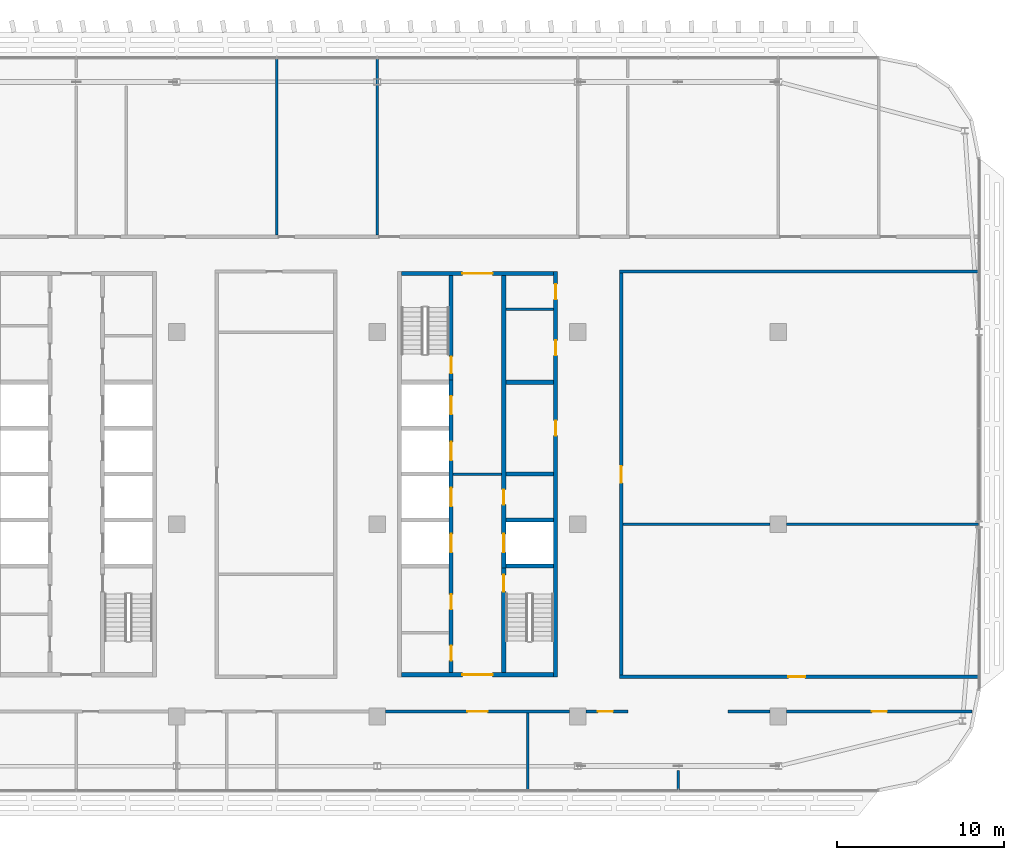
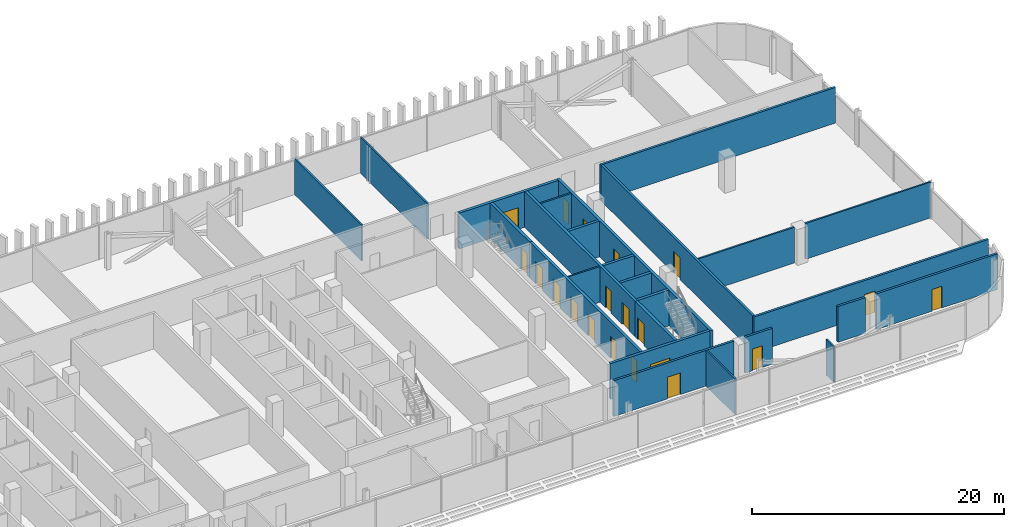
# One storey, part 21 of 32: 26 walls, 20 doors, 20 openings.
"""IFC4 building model written with IfcOpenShell, lengths in metres."""

from ifc_helpers import new_model, si_unit, direction, frame, frame_2d, origin, place, context, subcontext, project, spatial, rectangle, extrude, material, layer, layer_set, type_object, element, fill, save


model = new_model("IFC4")

# Units and contexts
model_context = context("Model", 3, precision=1e-05, world=origin(), true_north=direction((0.0, 1.0)))
body_context = subcontext(model_context, "Body", "Model", "MODEL_VIEW")
ifc_project = project(units=[si_unit("LENGTHUNIT", "METRE"), si_unit("AREAUNIT", "SQUARE_METRE"), si_unit("VOLUMEUNIT", "CUBIC_METRE"), si_unit("PLANEANGLEUNIT", "RADIAN"), si_unit("MASSUNIT", "GRAM", prefix="KILO")], contexts=[model_context])

# Site, building, storey
site_placement = place(None, origin())
site = spatial("IfcSite", under=ifc_project, at=site_placement, CompositionType="ELEMENT")
building_placement = place(site_placement, origin())
building = spatial("IfcBuilding", under=site, at=building_placement, Name="Mahtab Terrace Research Tower", CompositionType="ELEMENT")
storey_placement = place(building_placement, frame((0.0, 0.0, 240.0)))
storey = spatial("IfcBuildingStorey", under=building, at=storey_placement, Name="L58", CompositionType="ELEMENT", Elevation=240.0)

# Walls
ifc_material_1 = material(Name="Gypsum board partition")
ifc_layer_1 = layer(ifc_material_1, 0.14990234375)
ifc_layer_set_1 = layer_set([ifc_layer_1], Name="Core partition 150")
wall_type_1 = type_object("IfcWallType", Name="Core partition 150", PredefinedType="PARTITIONING", material=ifc_layer_set_1)
wall_1_placement = place(storey_placement, frame((22.550048828125, 3.0, 0.0), z_axis=(0.0, 0.0, 1.0), x_axis=(1.0, 0.0, 0.0)))
element("IfcWall", 1, at=wall_1_placement, inside=storey, type_object=wall_type_1, Name="Core wall C ffl", PredefinedType="PARTITIONING", context=body_context, shape_type="SweptSolid", body=[
    extrude(rectangle(XDim=2.89990234375, YDim=0.14990234375, at=frame_2d((1.449951171875, 0.0))), origin(), (0.0, 0.0, 1.0), 3.4599609375),
])
wall_2_placement = place(storey_placement, frame((25.699951171875, 12.875, 0.0), z_axis=(0.0, 0.0, 1.0), x_axis=(1.0, 0.0, 0.0)))
element("IfcWall", 2, at=wall_2_placement, inside=storey, type_object=wall_type_1, Name="Core wall C pEN988", PredefinedType="PARTITIONING", context=body_context, shape_type="SweptSolid", body=[
    extrude(rectangle(XDim=2.85009765625, YDim=0.14990234375, at=frame_2d((1.425048828125, 0.0))), origin(), (0.0, 0.0, 1.0), 3.4599609375),
])

# Wall, openings, doors
ifc_material_2 = material(Name="Concrete C70/85", Category="concrete")
ifc_layer_2 = layer(ifc_material_2, 0.25)
ifc_layer_set_2 = layer_set([ifc_layer_2], Name="Core wall 250")
wall_type_2 = type_object("IfcWallType", Name="Core wall 250", PredefinedType="SOLIDWALL", material=ifc_layer_set_2)
wall_3_placement = place(storey_placement, frame((28.675048828125, -9.125, 0.0), z_axis=(0.0, 0.0, 1.0), x_axis=(0.0, 1.0, 0.0)))
wall_3 = element("IfcWall", 3, at=wall_3_placement, inside=storey, type_object=wall_type_2, Name="Core wall C outerE", PredefinedType="SOLIDWALL", context=body_context, shape_type="SweptSolid", body=[
    extrude(rectangle(XDim=24.25, YDim=0.25, at=frame_2d((12.125, 0.0))), origin(), (0.0, 0.0, 1.0), 3.4599609375),
])
opening_1_placement = place(wall_3_placement, frame((14.425048828125, 0.0, 0.0)))
opening_1 = element("IfcOpeningElement", 4, at=opening_1_placement, cuts=wall_3, Name="Opening C-R2", PredefinedType="OPENING", context=body_context, shape_type="SweptSolid", body=[
    extrude(rectangle(XDim=0.89990234375, YDim=2.10009765625, at=frame_2d((0.449951171875, 1.050048828125))), frame((0.0, 0.135009765625, 0.0), z_axis=(0.0, -1.0, 0.0), x_axis=(1.0, 0.0, 0.0)), (0.0, 0.0, 1.0), 0.27001953125),
])
opening_2_placement = place(wall_3_placement, frame((19.22509765625, 0.0, 0.0)))
opening_2 = element("IfcOpeningElement", 5, at=opening_2_placement, cuts=wall_3, Name="Opening C-R5", PredefinedType="OPENING", context=body_context, shape_type="SweptSolid", body=[
    extrude(rectangle(XDim=0.89990234375, YDim=2.10009765625, at=frame_2d((0.449951171875, 1.050048828125))), frame((0.0, 0.135009765625, 0.0), z_axis=(0.0, -1.0, 0.0), x_axis=(1.0, 0.0, 0.0)), (0.0, 0.0, 1.0), 0.27001953125),
])
opening_3_placement = place(wall_3_placement, frame((22.58740234375, 0.0, 0.0)))
opening_3 = element("IfcOpeningElement", 6, at=opening_3_placement, cuts=wall_3, Name="Opening C-R6", PredefinedType="OPENING", context=body_context, shape_type="SweptSolid", body=[
    extrude(rectangle(XDim=0.89990234375, YDim=2.10009765625, at=frame_2d((0.449951171875, 1.050048828125))), frame((0.0, 0.135009765625, 0.0), z_axis=(0.0, -1.0, 0.0), x_axis=(1.0, 0.0, 0.0)), (0.0, 0.0, 1.0), 0.27001953125),
])
ifc_material_3 = material(Name="Steel fire door", Category="steel")
door_type_1 = type_object("IfcDoorType", Name="Room door 900x2100 1 HR", OperationType="NOTDEFINED", PredefinedType="DOOR", material=ifc_material_3)
door_1_placement = place(opening_1_placement, origin())
door_1 = element("IfcDoor", 7, at=door_1_placement, inside=storey, type_object=door_type_1, Name="Plant room door", OperationType="SINGLE_SWING_RIGHT", OverallHeight=2.10009765625, OverallWidth=0.89990234375, PredefinedType="DOOR", context=body_context, shape_type="SweptSolid", body=[
    extrude(rectangle(XDim=0.89990234375, YDim=2.10009765625, at=frame_2d((0.449951171875, 1.050048828125))), frame((0.0, 0.02490234375, 0.0), z_axis=(0.0, -1.0, 0.0), x_axis=(1.0, 0.0, 0.0)), (0.0, 0.0, 1.0), 0.050048828125),
])
fill(opening_1, door_1)
door_2_placement = place(opening_2_placement, origin())
door_2 = element("IfcDoor", 8, at=door_2_placement, inside=storey, type_object=door_type_1, Name="IT equipment room door", OperationType="SINGLE_SWING_LEFT", OverallHeight=2.10009765625, OverallWidth=0.89990234375, PredefinedType="DOOR", context=body_context, shape_type="SweptSolid", body=[
    extrude(rectangle(XDim=0.89990234375, YDim=2.10009765625, at=frame_2d((0.449951171875, 1.050048828125))), frame((0.0, 0.02490234375, 0.0), z_axis=(0.0, -1.0, 0.0), x_axis=(1.0, 0.0, 0.0)), (0.0, 0.0, 1.0), 0.050048828125),
])
fill(opening_2, door_2)
door_3_placement = place(opening_3_placement, origin())
door_3 = element("IfcDoor", 9, at=door_3_placement, inside=storey, type_object=door_type_1, Name="Electrical riser room door", OperationType="SINGLE_SWING_RIGHT", OverallHeight=2.10009765625, OverallWidth=0.89990234375, PredefinedType="DOOR", context=body_context, shape_type="SweptSolid", body=[
    extrude(rectangle(XDim=0.89990234375, YDim=2.10009765625, at=frame_2d((0.449951171875, 1.050048828125))), frame((0.0, 0.02490234375, 0.0), z_axis=(0.0, -1.0, 0.0), x_axis=(1.0, 0.0, 0.0)), (0.0, 0.0, 1.0), 0.050048828125),
])
fill(opening_3, door_3)

# Wall, opening, door
wall_4_placement = place(storey_placement, frame((28.550048828125, -9.0, 0.0), z_axis=(0.0, 0.0, 1.0), x_axis=(-1.0, 0.0, 0.0)))
wall_4 = element("IfcWall", 10, at=wall_4_placement, inside=storey, type_object=wall_type_2, Name="Core wall C endS", PredefinedType="SOLIDWALL", context=body_context, shape_type="SweptSolid", body=[
    extrude(rectangle(XDim=9.10009765625, YDim=0.25, at=frame_2d((4.550048828125, 0.0))), origin(), (0.0, 0.0, 1.0), 3.4599609375),
])
opening_4_placement = place(wall_4_placement, frame((3.64990234375, 0.0, 0.0)))
opening_4 = element("IfcOpeningElement", 11, at=opening_4_placement, cuts=wall_4, Name="Opening C-S1", PredefinedType="OPENING", context=body_context, shape_type="SweptSolid", body=[
    extrude(rectangle(XDim=1.800048828125, YDim=2.10009765625, at=frame_2d((0.89990234375, 1.050048828125))), frame((0.0, 0.135009765625, 0.0), z_axis=(0.0, -1.0, 0.0), x_axis=(1.0, 0.0, 0.0)), (0.0, 0.0, 1.0), 0.27001953125),
])
door_type_2 = type_object("IfcDoorType", Name="Lobby double door 1800x2100 1 HR", OperationType="DOUBLE_DOOR_SINGLE_SWING", PredefinedType="DOOR", material=ifc_material_3)
door_4_placement = place(opening_4_placement, origin())
door_4 = element("IfcDoor", 12, at=door_4_placement, inside=storey, type_object=door_type_2, Name="Core entrance door C S", OperationType="DOUBLE_DOOR_SINGLE_SWING", OverallHeight=2.10009765625, OverallWidth=1.800048828125, PredefinedType="DOOR", context=body_context, shape_type="SweptSolid", body=[
    extrude(rectangle(XDim=1.800048828125, YDim=2.10009765625, at=frame_2d((0.89990234375, 1.050048828125))), frame((0.0, 0.02490234375, 0.0), z_axis=(0.0, -1.0, 0.0), x_axis=(1.0, 0.0, 0.0)), (0.0, 0.0, 1.0), 0.050048828125),
])
fill(opening_4, door_4)

wall_5_placement = place(storey_placement, frame((19.449951171875, 15.0, 0.0), z_axis=(0.0, 0.0, 1.0), x_axis=(1.0, 0.0, 0.0)))
wall_5 = element("IfcWall", 13, at=wall_5_placement, inside=storey, type_object=wall_type_2, Name="Core wall C endN", PredefinedType="SOLIDWALL", context=body_context, shape_type="SweptSolid", body=[
    extrude(rectangle(XDim=9.10009765625, YDim=0.25, at=frame_2d((4.550048828125, 0.0))), origin(), (0.0, 0.0, 1.0), 3.4599609375),
])
opening_5_placement = place(wall_5_placement, frame((3.64990234375, 0.0, 0.0)))
opening_5 = element("IfcOpeningElement", 14, at=opening_5_placement, cuts=wall_5, Name="Opening C-N1", PredefinedType="OPENING", context=body_context, shape_type="SweptSolid", body=[
    extrude(rectangle(XDim=1.800048828125, YDim=2.10009765625, at=frame_2d((0.89990234375, 1.050048828125))), frame((0.0, 0.135009765625, 0.0), z_axis=(0.0, -1.0, 0.0), x_axis=(1.0, 0.0, 0.0)), (0.0, 0.0, 1.0), 0.27001953125),
])
door_5_placement = place(opening_5_placement, origin())
door_5 = element("IfcDoor", 15, at=door_5_placement, inside=storey, type_object=door_type_2, Name="Core entrance door C N", OperationType="DOUBLE_DOOR_SINGLE_SWING", OverallHeight=2.10009765625, OverallWidth=1.800048828125, PredefinedType="DOOR", context=body_context, shape_type="SweptSolid", body=[
    extrude(rectangle(XDim=1.800048828125, YDim=2.10009765625, at=frame_2d((0.89990234375, 1.050048828125))), frame((0.0, 0.02490234375, 0.0), z_axis=(0.0, -1.0, 0.0), x_axis=(1.0, 0.0, 0.0)), (0.0, 0.0, 1.0), 0.050048828125),
])
fill(opening_5, door_5)

# Wall, openings, doors
wall_6_placement = place(storey_placement, frame((22.425048828125, -8.875, 0.0), z_axis=(0.0, 0.0, 1.0), x_axis=(0.0, 1.0, 0.0)))
wall_6 = element("IfcWall", 16, at=wall_6_placement, inside=storey, type_object=wall_type_2, Name="Core wall C innerWSL", PredefinedType="SOLIDWALL", context=body_context, shape_type="SweptSolid", body=[
    extrude(rectangle(XDim=17.5, YDim=0.25, at=frame_2d((8.75, 0.0))), origin(), (0.0, 0.0, 1.0), 3.4599609375),
])
opening_6_placement = place(wall_6_placement, frame((7.199951171875, 0.0, 0.0)))
opening_6 = element("IfcOpeningElement", 17, at=opening_6_placement, cuts=wall_6, Name="Opening LD17-L58", PredefinedType="OPENING", context=body_context, shape_type="SweptSolid", body=[
    extrude(rectangle(XDim=1.10009765625, YDim=2.10009765625, at=frame_2d((0.550048828125, 1.050048828125))), frame((0.0, 0.135009765625, 0.0), z_axis=(0.0, -1.0, 0.0), x_axis=(1.0, 0.0, 0.0)), (0.0, 0.0, 1.0), 0.27001953125),
])
opening_7_placement = place(wall_6_placement, frame((9.949951171875, 0.0, 0.0)))
opening_7 = element("IfcOpeningElement", 18, at=opening_7_placement, cuts=wall_6, Name="Opening LD18-L58", PredefinedType="OPENING", context=body_context, shape_type="SweptSolid", body=[
    extrude(rectangle(XDim=1.10009765625, YDim=2.10009765625, at=frame_2d((0.550048828125, 1.050048828125))), frame((0.0, 0.135009765625, 0.0), z_axis=(0.0, -1.0, 0.0), x_axis=(1.0, 0.0, 0.0)), (0.0, 0.0, 1.0), 0.27001953125),
])
opening_8_placement = place(wall_6_placement, frame((12.699951171875, 0.0, 0.0)))
opening_8 = element("IfcOpeningElement", 19, at=opening_8_placement, cuts=wall_6, Name="Opening LD19-L58", PredefinedType="OPENING", context=body_context, shape_type="SweptSolid", body=[
    extrude(rectangle(XDim=1.10009765625, YDim=2.10009765625, at=frame_2d((0.550048828125, 1.050048828125))), frame((0.0, 0.135009765625, 0.0), z_axis=(0.0, -1.0, 0.0), x_axis=(1.0, 0.0, 0.0)), (0.0, 0.0, 1.0), 0.27001953125),
])
opening_9_placement = place(wall_6_placement, frame((15.449951171875, 0.0, 0.0)))
opening_9 = element("IfcOpeningElement", 20, at=opening_9_placement, cuts=wall_6, Name="Opening LD20-L58", PredefinedType="OPENING", context=body_context, shape_type="SweptSolid", body=[
    extrude(rectangle(XDim=1.10009765625, YDim=2.10009765625, at=frame_2d((0.550048828125, 1.050048828125))), frame((0.0, 0.135009765625, 0.0), z_axis=(0.0, -1.0, 0.0), x_axis=(1.0, 0.0, 0.0)), (0.0, 0.0, 1.0), 0.27001953125),
])
opening_10_placement = place(wall_6_placement, frame((0.71240234375, 0.0, 0.0)))
opening_10 = element("IfcOpeningElement", 21, at=opening_10_placement, cuts=wall_6, Name="Opening C-R3", PredefinedType="OPENING", context=body_context, shape_type="SweptSolid", body=[
    extrude(rectangle(XDim=0.89990234375, YDim=2.10009765625, at=frame_2d((0.449951171875, 1.050048828125))), frame((0.0, 0.135009765625, 0.0), z_axis=(0.0, -1.0, 0.0), x_axis=(1.0, 0.0, 0.0)), (0.0, 0.0, 1.0), 0.27001953125),
])
opening_11_placement = place(wall_6_placement, frame((3.78759765625, 0.0, 0.0)))
opening_11 = element("IfcOpeningElement", 22, at=opening_11_placement, cuts=wall_6, Name="Opening C-R4", PredefinedType="OPENING", context=body_context, shape_type="SweptSolid", body=[
    extrude(rectangle(XDim=0.89990234375, YDim=2.10009765625, at=frame_2d((0.449951171875, 1.050048828125))), frame((0.0, 0.135009765625, 0.0), z_axis=(0.0, -1.0, 0.0), x_axis=(1.0, 0.0, 0.0)), (0.0, 0.0, 1.0), 0.27001953125),
])
ifc_material_4 = material(Name="Stainless steel AISI 304", Category="steel")
door_type_3 = type_object("IfcDoorType", Name="Landing door 1100x2100", OperationType="DOUBLE_DOOR_SLIDING", PredefinedType="DOOR", material=ifc_material_4)
door_6_placement = place(opening_6_placement, origin())
door_6 = element("IfcDoor", 23, at=door_6_placement, inside=storey, type_object=door_type_3, Name="Landing door SV1 L58", OperationType="DOUBLE_DOOR_SLIDING", OverallHeight=2.10009765625, OverallWidth=1.10009765625, PredefinedType="DOOR", context=body_context, shape_type="SweptSolid", body=[
    extrude(rectangle(XDim=1.10009765625, YDim=2.10009765625, at=frame_2d((0.550048828125, 1.050048828125))), frame((0.0, 0.02490234375, 0.0), z_axis=(0.0, -1.0, 0.0), x_axis=(1.0, 0.0, 0.0)), (0.0, 0.0, 1.0), 0.050048828125),
])
fill(opening_6, door_6)
door_7_placement = place(opening_7_placement, origin())
door_7 = element("IfcDoor", 24, at=door_7_placement, inside=storey, type_object=door_type_3, Name="Landing door SV2 L58", OperationType="DOUBLE_DOOR_SLIDING", OverallHeight=2.10009765625, OverallWidth=1.10009765625, PredefinedType="DOOR", context=body_context, shape_type="SweptSolid", body=[
    extrude(rectangle(XDim=1.10009765625, YDim=2.10009765625, at=frame_2d((0.550048828125, 1.050048828125))), frame((0.0, 0.02490234375, 0.0), z_axis=(0.0, -1.0, 0.0), x_axis=(1.0, 0.0, 0.0)), (0.0, 0.0, 1.0), 0.050048828125),
])
fill(opening_7, door_7)
door_8_placement = place(opening_8_placement, origin())
door_8 = element("IfcDoor", 25, at=door_8_placement, inside=storey, type_object=door_type_3, Name="Landing door FF1 L58", OperationType="DOUBLE_DOOR_SLIDING", OverallHeight=2.10009765625, OverallWidth=1.10009765625, PredefinedType="DOOR", context=body_context, shape_type="SweptSolid", body=[
    extrude(rectangle(XDim=1.10009765625, YDim=2.10009765625, at=frame_2d((0.550048828125, 1.050048828125))), frame((0.0, 0.02490234375, 0.0), z_axis=(0.0, -1.0, 0.0), x_axis=(1.0, 0.0, 0.0)), (0.0, 0.0, 1.0), 0.050048828125),
])
fill(opening_8, door_8)
door_9_placement = place(opening_9_placement, origin())
door_9 = element("IfcDoor", 26, at=door_9_placement, inside=storey, type_object=door_type_3, Name="Landing door FF2 L58", OperationType="DOUBLE_DOOR_SLIDING", OverallHeight=2.10009765625, OverallWidth=1.10009765625, PredefinedType="DOOR", context=body_context, shape_type="SweptSolid", body=[
    extrude(rectangle(XDim=1.10009765625, YDim=2.10009765625, at=frame_2d((0.550048828125, 1.050048828125))), frame((0.0, 0.02490234375, 0.0), z_axis=(0.0, -1.0, 0.0), x_axis=(1.0, 0.0, 0.0)), (0.0, 0.0, 1.0), 0.050048828125),
])
fill(opening_9, door_9)
door_10_placement = place(opening_10_placement, origin())
door_10 = element("IfcDoor", 27, at=door_10_placement, inside=storey, type_object=door_type_1, Name="Accessible WC door", OperationType="SINGLE_SWING_LEFT", OverallHeight=2.10009765625, OverallWidth=0.89990234375, PredefinedType="DOOR", context=body_context, shape_type="SweptSolid", body=[
    extrude(rectangle(XDim=0.89990234375, YDim=2.10009765625, at=frame_2d((0.449951171875, 1.050048828125))), frame((0.0, 0.02490234375, 0.0), z_axis=(0.0, -1.0, 0.0), x_axis=(1.0, 0.0, 0.0)), (0.0, 0.0, 1.0), 0.050048828125),
])
fill(opening_10, door_10)
door_11_placement = place(opening_11_placement, origin())
door_11 = element("IfcDoor", 28, at=door_11_placement, inside=storey, type_object=door_type_1, Name="WC block door", OperationType="SINGLE_SWING_RIGHT", OverallHeight=2.10009765625, OverallWidth=0.89990234375, PredefinedType="DOOR", context=body_context, shape_type="SweptSolid", body=[
    extrude(rectangle(XDim=0.89990234375, YDim=2.10009765625, at=frame_2d((0.449951171875, 1.050048828125))), frame((0.0, 0.02490234375, 0.0), z_axis=(0.0, -1.0, 0.0), x_axis=(1.0, 0.0, 0.0)), (0.0, 0.0, 1.0), 0.050048828125),
])
fill(opening_11, door_11)

# Wall, opening, door
wall_7_placement = place(storey_placement, frame((22.425048828125, 14.875, 0.0), z_axis=(0.0, 0.0, 1.0), x_axis=(0.0, -1.0, 0.0)))
wall_7 = element("IfcWall", 29, at=wall_7_placement, inside=storey, type_object=wall_type_2, Name="Core wall C innerWN", PredefinedType="SOLIDWALL", context=body_context, shape_type="SweptSolid", body=[
    extrude(rectangle(XDim=6.25, YDim=0.25, at=frame_2d((3.125, 0.0))), origin(), (0.0, 0.0, 1.0), 3.4599609375),
])
opening_12_placement = place(wall_7_placement, frame((4.85009765625, 0.0, 0.0)))
opening_12 = element("IfcOpeningElement", 30, at=opening_12_placement, cuts=wall_7, Name="Opening C-ST3", PredefinedType="OPENING", context=body_context, shape_type="SweptSolid", body=[
    extrude(rectangle(XDim=1.0, YDim=2.10009765625, at=frame_2d((0.5, 1.050048828125))), frame((0.0, 0.135009765625, 0.0), z_axis=(0.0, -1.0, 0.0), x_axis=(1.0, 0.0, 0.0)), (0.0, 0.0, 1.0), 0.27001953125),
])
door_type_4 = type_object("IfcDoorType", Name="Stair door 1000x2100 1.5 HR", OperationType="NOTDEFINED", PredefinedType="DOOR", material=ifc_material_3)
door_12_placement = place(opening_12_placement, origin())
door_12 = element("IfcDoor", 31, at=door_12_placement, inside=storey, type_object=door_type_4, Name="Stair door ST3 L58", OperationType="SINGLE_SWING_LEFT", OverallHeight=2.10009765625, OverallWidth=1.0, PredefinedType="DOOR", context=body_context, shape_type="SweptSolid", body=[
    extrude(rectangle(XDim=1.0, YDim=2.10009765625, at=frame_2d((0.5, 1.050048828125))), frame((0.0, 0.02490234375, 0.0), z_axis=(0.0, -1.0, 0.0), x_axis=(1.0, 0.0, 0.0)), (0.0, 0.0, 1.0), 0.050048828125),
])
fill(opening_12, door_12)

wall_8_placement = place(storey_placement, frame((25.574951171875, -8.875, 0.0), z_axis=(0.0, 0.0, 1.0), x_axis=(0.0, 1.0, 0.0)))
wall_8 = element("IfcWall", 32, at=wall_8_placement, inside=storey, type_object=wall_type_2, Name="Core wall C innerES", PredefinedType="SOLIDWALL", context=body_context, shape_type="SweptSolid", body=[
    extrude(rectangle(XDim=6.25, YDim=0.25, at=frame_2d((3.125, 0.0))), origin(), (0.0, 0.0, 1.0), 3.4599609375),
])
opening_13_placement = place(wall_8_placement, frame((4.85009765625, 0.0, 0.0)))
opening_13 = element("IfcOpeningElement", 33, at=opening_13_placement, cuts=wall_8, Name="Opening C-ST4", PredefinedType="OPENING", context=body_context, shape_type="SweptSolid", body=[
    extrude(rectangle(XDim=1.0, YDim=2.10009765625, at=frame_2d((0.5, 1.050048828125))), frame((0.0, 0.135009765625, 0.0), z_axis=(0.0, -1.0, 0.0), x_axis=(1.0, 0.0, 0.0)), (0.0, 0.0, 1.0), 0.27001953125),
])
door_13_placement = place(opening_13_placement, origin())
door_13 = element("IfcDoor", 34, at=door_13_placement, inside=storey, type_object=door_type_4, Name="Stair door ST4 L58", OperationType="SINGLE_SWING_RIGHT", OverallHeight=2.10009765625, OverallWidth=1.0, PredefinedType="DOOR", context=body_context, shape_type="SweptSolid", body=[
    extrude(rectangle(XDim=1.0, YDim=2.10009765625, at=frame_2d((0.5, 1.050048828125))), frame((0.0, 0.02490234375, 0.0), z_axis=(0.0, -1.0, 0.0), x_axis=(1.0, 0.0, 0.0)), (0.0, 0.0, 1.0), 0.050048828125),
])
fill(opening_13, door_13)

# Wall, openings, doors
wall_9_placement = place(storey_placement, frame((25.574951171875, 14.875, 0.0), z_axis=(0.0, 0.0, 1.0), x_axis=(0.0, -1.0, 0.0)))
wall_9 = element("IfcWall", 35, at=wall_9_placement, inside=storey, type_object=wall_type_2, Name="Core wall C innerELN", PredefinedType="SOLIDWALL", context=body_context, shape_type="SweptSolid", body=[
    extrude(rectangle(XDim=17.5, YDim=0.25, at=frame_2d((8.75, 0.0))), origin(), (0.0, 0.0, 1.0), 3.4599609375),
])
opening_14_placement = place(wall_9_placement, frame((15.449951171875, 0.0, 0.0)))
opening_14 = element("IfcOpeningElement", 36, at=opening_14_placement, cuts=wall_9, Name="Opening LD21-L58", PredefinedType="OPENING", context=body_context, shape_type="SweptSolid", body=[
    extrude(rectangle(XDim=1.10009765625, YDim=2.10009765625, at=frame_2d((0.550048828125, 1.050048828125))), frame((0.0, 0.135009765625, 0.0), z_axis=(0.0, -1.0, 0.0), x_axis=(1.0, 0.0, 0.0)), (0.0, 0.0, 1.0), 0.27001953125),
])
opening_15_placement = place(wall_9_placement, frame((12.800048828125, 0.0, 0.0)))
opening_15 = element("IfcOpeningElement", 37, at=opening_15_placement, cuts=wall_9, Name="Opening C-R1", PredefinedType="OPENING", context=body_context, shape_type="SweptSolid", body=[
    extrude(rectangle(XDim=0.89990234375, YDim=2.10009765625, at=frame_2d((0.449951171875, 1.050048828125))), frame((0.0, 0.135009765625, 0.0), z_axis=(0.0, -1.0, 0.0), x_axis=(1.0, 0.0, 0.0)), (0.0, 0.0, 1.0), 0.27001953125),
])
door_14_placement = place(opening_14_placement, origin())
door_14 = element("IfcDoor", 38, at=door_14_placement, inside=storey, type_object=door_type_3, Name="Landing door SV3 L58", OperationType="DOUBLE_DOOR_SLIDING", OverallHeight=2.10009765625, OverallWidth=1.10009765625, PredefinedType="DOOR", context=body_context, shape_type="SweptSolid", body=[
    extrude(rectangle(XDim=1.10009765625, YDim=2.10009765625, at=frame_2d((0.550048828125, 1.050048828125))), frame((0.0, 0.02490234375, 0.0), z_axis=(0.0, -1.0, 0.0), x_axis=(1.0, 0.0, 0.0)), (0.0, 0.0, 1.0), 0.050048828125),
])
fill(opening_14, door_14)
door_15_placement = place(opening_15_placement, origin())
door_15 = element("IfcDoor", 39, at=door_15_placement, inside=storey, type_object=door_type_1, Name="Plant room door", OperationType="SINGLE_SWING_LEFT", OverallHeight=2.10009765625, OverallWidth=0.89990234375, PredefinedType="DOOR", context=body_context, shape_type="SweptSolid", body=[
    extrude(rectangle(XDim=0.89990234375, YDim=2.10009765625, at=frame_2d((0.449951171875, 1.050048828125))), frame((0.0, 0.02490234375, 0.0), z_axis=(0.0, -1.0, 0.0), x_axis=(1.0, 0.0, 0.0)), (0.0, 0.0, 1.0), 0.050048828125),
])
fill(opening_15, door_15)

# Walls
for number, where, z_axis, x_axis, name in (
    (40, (25.699951171875, -2.5, 0.0), (0.0, 0.0, 1.0), (1.0, 0.0, 0.0), "Core wall C divE0"),
    (41, (25.699951171875, 0.25, 0.0), (0.0, 0.0, 1.0), (1.0, 0.0, 0.0), "Core wall C divE1"),
    (42, (25.699951171875, 3.0, 0.0), (0.0, 0.0, 1.0), (1.0, 0.0, 0.0), "Core wall C divE2"),
    (43, (25.699951171875, 8.5, 0.0), (0.0, 0.0, 1.0), (1.0, 0.0, 0.0), "Core wall C divE4"),
):
    element("IfcWall", number, at=place(storey_placement, frame(where, z_axis=z_axis, x_axis=x_axis)), inside=storey, type_object=wall_type_2, Name=name, PredefinedType="SOLIDWALL", context=body_context, shape_type="SweptSolid", body=[
        extrude(rectangle(XDim=2.85009765625, YDim=0.25, at=frame_2d((1.425048828125, 0.0))), origin(), (0.0, 0.0, 1.0), 3.4599609375),
    ])

# Wall, opening, door
ifc_material_5 = material(Name="Gypsum board corridor wall on steel studs", Category="steel")
ifc_layer_3 = layer(ifc_material_5, 0.199951171875)
ifc_layer_set_3 = layer_set([ifc_layer_3], Name="WALL CORRIDOR 200")
wall_type_3 = type_object("IfcWallType", Name="WALL CORRIDOR 200", PredefinedType="PARTITIONING", material=ifc_layer_set_3)
wall_10_placement = place(storey_placement, frame((18.5, -11.199951171875, 0.0), z_axis=(0.0, 0.0, 1.0), x_axis=(1.0, 0.0, 0.0)))
wall_10 = element("IfcWall", 44, at=wall_10_placement, inside=storey, type_object=wall_type_3, Name="L58-W006", PredefinedType="PARTITIONING", context=body_context, shape_type="SweptSolid", body=[
    extrude(rectangle(XDim=11.0, YDim=0.199951171875, at=frame_2d((5.5, 0.0))), origin(), (0.0, 0.0, 1.0), 3.4599609375),
])
opening_16_placement = place(wall_10_placement, frame((4.89990234375, 0.0, 0.0)))
opening_16 = element("IfcOpeningElement", 45, at=opening_16_placement, cuts=wall_10, Name="Opening L58-109", PredefinedType="OPENING", context=body_context, shape_type="SweptSolid", body=[
    extrude(rectangle(XDim=1.199951171875, YDim=2.10009765625, at=frame_2d((0.60009765625, 1.050048828125))), frame((0.0, 0.10986328125, 0.0), z_axis=(0.0, -1.0, 0.0), x_axis=(1.0, 0.0, 0.0)), (0.0, 0.0, 1.0), 0.219970703125),
])
ifc_material_6 = material(Name="Timber door leaf in steel frame", Category="steel")
door_type_5 = type_object("IfcDoorType", Name="DOOR 1200X2100 FD30S", OperationType="SINGLE_SWING_LEFT", PredefinedType="DOOR", material=ifc_material_6)
door_16_placement = place(opening_16_placement, origin())
door_16 = element("IfcDoor", 46, at=door_16_placement, inside=storey, type_object=door_type_5, Name="Door L58-109", OperationType="SINGLE_SWING_LEFT", OverallHeight=2.10009765625, OverallWidth=1.199951171875, PredefinedType="DOOR", context=body_context, shape_type="SweptSolid", body=[
    extrude(rectangle(XDim=1.199951171875, YDim=2.10009765625, at=frame_2d((0.60009765625, 1.050048828125))), frame((0.0, 0.02490234375, 0.0), z_axis=(0.0, -1.0, 0.0), x_axis=(1.0, 0.0, 0.0)), (0.0, 0.0, 1.0), 0.050048828125),
])
fill(opening_16, door_16)

wall_11_placement = place(storey_placement, frame((30.5, -11.199951171875, 0.0), z_axis=(0.0, 0.0, 1.0), x_axis=(1.0, 0.0, 0.0)))
wall_11 = element("IfcWall", 47, at=wall_11_placement, inside=storey, type_object=wall_type_3, Name="L58-W007", PredefinedType="PARTITIONING", context=body_context, shape_type="SweptSolid", body=[
    extrude(rectangle(XDim=2.5, YDim=0.199951171875, at=frame_2d((1.25, 0.0))), origin(), (0.0, 0.0, 1.0), 3.4599609375),
])
opening_17_placement = place(wall_11_placement, frame((0.699951171875, 0.0, 0.0)))
opening_17 = element("IfcOpeningElement", 48, at=opening_17_placement, cuts=wall_11, Name="Opening L58-110", PredefinedType="OPENING", context=body_context, shape_type="SweptSolid", body=[
    extrude(rectangle(XDim=0.89990234375, YDim=2.10009765625, at=frame_2d((0.449951171875, 1.050048828125))), frame((0.0, 0.10986328125, 0.0), z_axis=(0.0, -1.0, 0.0), x_axis=(1.0, 0.0, 0.0)), (0.0, 0.0, 1.0), 0.219970703125),
])
door_type_6 = type_object("IfcDoorType", Name="DOOR 0900X2100 FD30S", OperationType="SINGLE_SWING_LEFT", PredefinedType="DOOR", material=ifc_material_6)
door_17_placement = place(opening_17_placement, origin())
door_17 = element("IfcDoor", 49, at=door_17_placement, inside=storey, type_object=door_type_6, Name="Door L58-110", OperationType="SINGLE_SWING_RIGHT", OverallHeight=2.10009765625, OverallWidth=0.89990234375, PredefinedType="DOOR", context=body_context, shape_type="SweptSolid", body=[
    extrude(rectangle(XDim=0.89990234375, YDim=2.10009765625, at=frame_2d((0.449951171875, 1.050048828125))), frame((0.0, 0.02490234375, 0.0), z_axis=(0.0, -1.0, 0.0), x_axis=(1.0, 0.0, 0.0)), (0.0, 0.0, 1.0), 0.050048828125),
])
fill(opening_17, door_17)

# Wall
wall_12_placement = place(storey_placement, frame((39.0, -11.199951171875, 0.0), z_axis=(0.0, 0.0, 1.0), x_axis=(1.0, 0.0, 0.0)))
element("IfcWall", 50, at=wall_12_placement, inside=storey, type_object=wall_type_3, Name="L58-W008", PredefinedType="PARTITIONING", context=body_context, shape_type="SweptSolid", body=[
    extrude(rectangle(XDim=2.5, YDim=0.199951171875, at=frame_2d((1.25, 0.0))), origin(), (0.0, 0.0, 1.0), 3.4599609375),
])

# Wall, opening, door
wall_13_placement = place(storey_placement, frame((42.5, -11.199951171875, 0.0), z_axis=(0.0, 0.0, 1.0), x_axis=(1.0, 0.0, 0.0)))
wall_13 = element("IfcWall", 51, at=wall_13_placement, inside=storey, type_object=wall_type_3, Name="L58-W009", PredefinedType="PARTITIONING", context=body_context, shape_type="SweptSolid", body=[
    extrude(rectangle(XDim=11.091796875, YDim=0.199951171875, at=frame_2d((5.5458984375, 0.0))), origin(), (0.0, 0.0, 1.0), 3.4599609375),
])
opening_18_placement = place(wall_13_placement, frame((5.10009765625, 0.0, 0.0)))
opening_18 = element("IfcOpeningElement", 52, at=opening_18_placement, cuts=wall_13, Name="Opening L58-111", PredefinedType="OPENING", context=body_context, shape_type="SweptSolid", body=[
    extrude(rectangle(XDim=0.89990234375, YDim=2.10009765625, at=frame_2d((0.449951171875, 1.050048828125))), frame((0.0, 0.10986328125, 0.0), z_axis=(0.0, -1.0, 0.0), x_axis=(1.0, 0.0, 0.0)), (0.0, 0.0, 1.0), 0.219970703125),
])
door_18_placement = place(opening_18_placement, origin())
door_18 = element("IfcDoor", 53, at=door_18_placement, inside=storey, type_object=door_type_6, Name="Door L58-111", OperationType="SINGLE_SWING_LEFT", OverallHeight=2.10009765625, OverallWidth=0.89990234375, PredefinedType="DOOR", context=body_context, shape_type="SweptSolid", body=[
    extrude(rectangle(XDim=0.89990234375, YDim=2.10009765625, at=frame_2d((0.449951171875, 1.050048828125))), frame((0.0, 0.02490234375, 0.0), z_axis=(0.0, -1.0, 0.0), x_axis=(1.0, 0.0, 0.0)), (0.0, 0.0, 1.0), 0.050048828125),
])
fill(opening_18, door_18)

wall_14_placement = place(storey_placement, frame((32.5, -9.125, 0.0), z_axis=(0.0, 0.0, 1.0), x_axis=(1.0, 0.0, 0.0)))
wall_14 = element("IfcWall", 54, at=wall_14_placement, inside=storey, type_object=wall_type_3, Name="L58-W013", PredefinedType="PARTITIONING", context=body_context, shape_type="SweptSolid", body=[
    extrude(rectangle(XDim=21.47509765625, YDim=0.199951171875, at=frame_2d((10.737548828125, 0.0))), origin(), (0.0, 0.0, 1.0), 3.4599609375),
])
opening_19_placement = place(wall_14_placement, frame((10.10009765625, 0.0, 0.0)))
opening_19 = element("IfcOpeningElement", 55, at=opening_19_placement, cuts=wall_14, Name="Opening L58-115", PredefinedType="OPENING", context=body_context, shape_type="SweptSolid", body=[
    extrude(rectangle(XDim=1.0, YDim=2.10009765625, at=frame_2d((0.5, 1.050048828125))), frame((0.0, 0.10986328125, 0.0), z_axis=(0.0, -1.0, 0.0), x_axis=(1.0, 0.0, 0.0)), (0.0, 0.0, 1.0), 0.219970703125),
])
door_type_7 = type_object("IfcDoorType", Name="DOOR 1000X2100 FD30S", OperationType="SINGLE_SWING_LEFT", PredefinedType="DOOR", material=ifc_material_6)
door_19_placement = place(opening_19_placement, origin())
door_19 = element("IfcDoor", 56, at=door_19_placement, inside=storey, type_object=door_type_7, Name="Door L58-115", OperationType="SINGLE_SWING_LEFT", OverallHeight=2.10009765625, OverallWidth=1.0, PredefinedType="DOOR", context=body_context, shape_type="SweptSolid", body=[
    extrude(rectangle(XDim=1.0, YDim=2.10009765625, at=frame_2d((0.5, 1.050048828125))), frame((0.0, 0.02490234375, 0.0), z_axis=(0.0, -1.0, 0.0), x_axis=(1.0, 0.0, 0.0)), (0.0, 0.0, 1.0), 0.050048828125),
])
fill(opening_19, door_19)

# Wall
wall_15_placement = place(storey_placement, frame((32.5, 15.125, 0.0), z_axis=(0.0, 0.0, 1.0), x_axis=(1.0, 0.0, 0.0)))
element("IfcWall", 57, at=wall_15_placement, inside=storey, type_object=wall_type_3, Name="L58-W024", PredefinedType="PARTITIONING", context=body_context, shape_type="SweptSolid", body=[
    extrude(rectangle(XDim=21.47509765625, YDim=0.199951171875, at=frame_2d((10.737548828125, 0.0))), origin(), (0.0, 0.0, 1.0), 3.4599609375),
])

# Wall, opening, door
wall_16_placement = place(storey_placement, frame((32.60009765625, -9.02490234375, 0.0), z_axis=(0.0, 0.0, 1.0), x_axis=(0.0, 1.0, 0.0)))
wall_16 = element("IfcWall", 58, at=wall_16_placement, inside=storey, type_object=wall_type_3, Name="L58-W052", PredefinedType="PARTITIONING", context=body_context, shape_type="SweptSolid", body=[
    extrude(rectangle(XDim=24.0498046875, YDim=0.199951171875, at=frame_2d((12.02490234375, 0.0))), origin(), (0.0, 0.0, 1.0), 3.4599609375),
])
opening_20_placement = place(wall_16_placement, frame((11.5, 0.0, 0.0)))
opening_20 = element("IfcOpeningElement", 59, at=opening_20_placement, cuts=wall_16, Name="Opening L58-119", PredefinedType="OPENING", context=body_context, shape_type="SweptSolid", body=[
    extrude(rectangle(XDim=1.0, YDim=2.10009765625, at=frame_2d((0.5, 1.050048828125))), frame((0.0, 0.10986328125, 0.0), z_axis=(0.0, -1.0, 0.0), x_axis=(1.0, 0.0, 0.0)), (0.0, 0.0, 1.0), 0.219970703125),
])
door_20_placement = place(opening_20_placement, origin())
door_20 = element("IfcDoor", 60, at=door_20_placement, inside=storey, type_object=door_type_7, Name="Door L58-119", OperationType="SINGLE_SWING_RIGHT", OverallHeight=2.10009765625, OverallWidth=1.0, PredefinedType="DOOR", context=body_context, shape_type="SweptSolid", body=[
    extrude(rectangle(XDim=1.0, YDim=2.10009765625, at=frame_2d((0.5, 1.050048828125))), frame((0.0, 0.02490234375, 0.0), z_axis=(0.0, -1.0, 0.0), x_axis=(1.0, 0.0, 0.0)), (0.0, 0.0, 1.0), 0.050048828125),
])
fill(opening_20, door_20)

# Walls
ifc_material_7 = material(Name="Gypsum board partition on steel studs", Category="steel")
ifc_layer_4 = layer(ifc_material_7, 0.14990234375)
ifc_layer_set_4 = layer_set([ifc_layer_4], Name="WALL PARTITION 150")
wall_type_4 = type_object("IfcWallType", Name="WALL PARTITION 150", PredefinedType="PARTITIONING", material=ifc_layer_set_4)
wall_17_placement = place(storey_placement, frame((32.699951171875, 0.0, 0.0), z_axis=(0.0, 0.0, 1.0), x_axis=(1.0, 0.0, 0.0)))
element("IfcWall", 61, at=wall_17_placement, inside=storey, type_object=wall_type_4, Name="L58-W017", PredefinedType="PARTITIONING", context=body_context, shape_type="SweptSolid", body=[
    extrude(rectangle(XDim=8.800048828125, YDim=0.14990234375, at=frame_2d((4.39990234375, 0.0))), origin(), (0.0, 0.0, 1.0), 3.4599609375),
])
wall_18_placement = place(storey_placement, frame((42.5, 0.0, 0.0), z_axis=(0.0, 0.0, 1.0), x_axis=(1.0, 0.0, 0.0)))
element("IfcWall", 62, at=wall_18_placement, inside=storey, type_object=wall_type_4, Name="L58-W018", PredefinedType="PARTITIONING", context=body_context, shape_type="SweptSolid", body=[
    extrude(rectangle(XDim=11.47509765625, YDim=0.14990234375, at=frame_2d((5.737548828125, 0.0))), origin(), (0.0, 0.0, 1.0), 3.4599609375),
])
for number, where, z_axis, x_axis, name in (
    (63, (12.0, 17.300048828125, 0.0), (0.0, 0.0, 1.0), (0.0, 1.0, 0.0), "L58-W047"),
    (64, (18.0, 17.300048828125, 0.0), (0.0, 0.0, 1.0), (0.0, 1.0, 0.0), "L58-W049"),
):
    element("IfcWall", number, at=place(storey_placement, frame(where, z_axis=z_axis, x_axis=x_axis)), inside=storey, type_object=wall_type_4, Name=name, PredefinedType="PARTITIONING", context=body_context, shape_type="SweptSolid", body=[
        extrude(rectangle(XDim=10.592041015625, YDim=0.14990234375, at=frame_2d((5.2958984375, 0.0))), origin(), (0.0, 0.0, 1.0), 3.4599609375),
    ])
wall_19_placement = place(storey_placement, frame((27.0, -15.89208984375, 0.0), z_axis=(0.0, 0.0, 1.0), x_axis=(0.0, 1.0, 0.0)))
element("IfcWall", 65, at=wall_19_placement, inside=storey, type_object=wall_type_4, Name="L58-W050", PredefinedType="PARTITIONING", context=body_context, shape_type="SweptSolid", body=[
    extrude(rectangle(XDim=4.592041015625, YDim=0.14990234375, at=frame_2d((2.2958984375, 0.0))), origin(), (0.0, 0.0, 1.0), 3.4599609375),
])
wall_20_placement = place(storey_placement, frame((36.0, -15.89208984375, 0.0), z_axis=(0.0, 0.0, 1.0), x_axis=(0.0, 1.0, 0.0)))
element("IfcWall", 66, at=wall_20_placement, inside=storey, type_object=wall_type_4, Name="L58-W055", PredefinedType="PARTITIONING", context=body_context, shape_type="SweptSolid", body=[
    extrude(rectangle(XDim=1.166748046875, YDim=0.14990234375, at=frame_2d((0.58349609375, 0.0))), origin(), (0.0, 0.0, 1.0), 3.4599609375),
])

save(model, "model.ifc")
